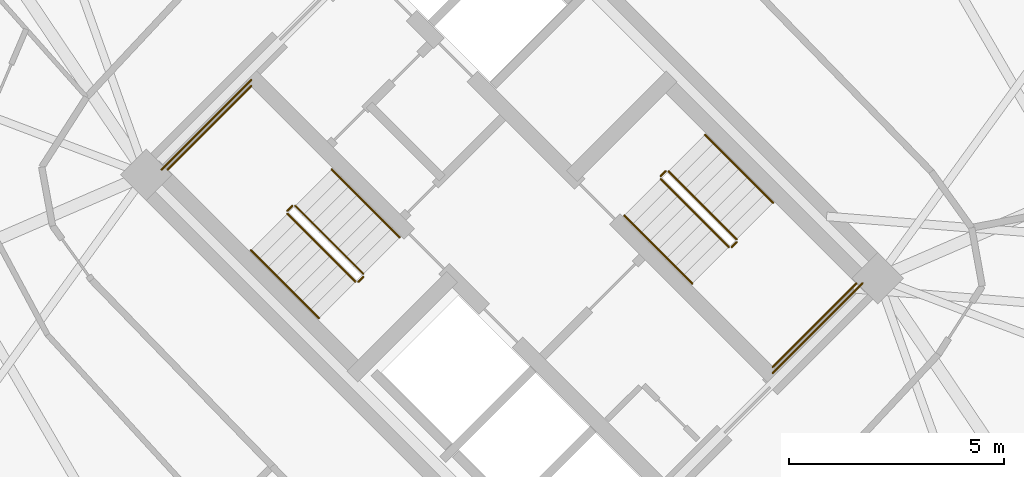
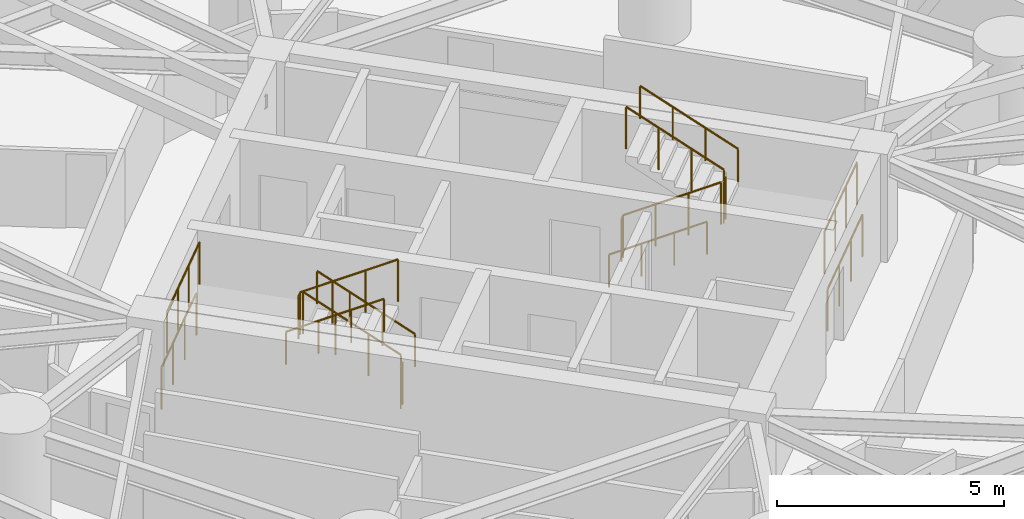
# One storey, part 17 of 18: 16 railings.
"""IFC4 building model written with IfcOpenShell, lengths in metres."""

from ifc_helpers import new_model, si_unit, direction, frame, origin, origin_2d, place, context, subcontext, project, spatial, circle, extrude, material, type_object, element, save


model = new_model("IFC4")

# Units and contexts
model_context = context("Model", 3, precision=1e-05, world=origin(), true_north=direction((0.0, 1.0)))
body_context = subcontext(model_context, "Body", "Model", "MODEL_VIEW")
ifc_project = project(units=[si_unit("LENGTHUNIT", "METRE"), si_unit("AREAUNIT", "SQUARE_METRE"), si_unit("VOLUMEUNIT", "CUBIC_METRE"), si_unit("PLANEANGLEUNIT", "RADIAN"), si_unit("MASSUNIT", "GRAM", prefix="KILO")], contexts=[model_context])

# Site, building, storey
site_placement = place(None, origin())
site = spatial("IfcSite", under=ifc_project, at=site_placement, CompositionType="ELEMENT")
building_placement = place(site_placement, origin())
building = spatial("IfcBuilding", under=site, at=building_placement, Name="Cununo Teusaquillo Station Towers", CompositionType="ELEMENT")
storey_placement = place(building_placement, frame((0.0, 0.0, 22.0)))
storey = spatial("IfcBuildingStorey", under=building, at=storey_placement, Name="L05", CompositionType="ELEMENT", Elevation=22.0)

# Railings
ifc_material_1 = material(Name="Steel EN 10025-2 S355J2", Category="steel")
railing_type_1 = type_object("IfcRailingType", Name="RL-INT-GUARD", PredefinedType="GUARDRAIL", material=ifc_material_1)
railing_1_placement = place(storey_placement, frame((54.03515625, 23.39697265625, 0.16162109375)))
element("IfcRailing", 1, at=railing_1_placement, inside=storey, type_object=railing_type_1, Name="L05 ST-T2-1 stair guard 1", PredefinedType="GUARDRAIL", context=body_context, shape_type="SweptSolid", body=[
    extrude(circle(Radius=0.02392578125, at=origin_2d()), frame((0.0, 0.0, 1.1259765625), z_axis=(-0.612332353853, 0.612332353853, 0.500098167213), x_axis=(-0.707106781187, -0.707106781187, 0.0)), (0.0, 0.0, 1.0), 2.58642578125),
    extrude(circle(Radius=0.02099609375, at=origin_2d()), origin(), (0.0, 0.0, 1.0), 1.101806640625),
    extrude(circle(Radius=0.02099609375, at=origin_2d()), frame((-0.52783203125, 0.52783203125, 0.43115234375)), (0.0, 0.0, 1.0), 1.101806640625),
    extrude(circle(Radius=0.02099609375, at=origin_2d()), frame((-1.055908203125, 1.055908203125, 0.8623046875)), (0.0, 0.0, 1.0), 1.101806640625),
    extrude(circle(Radius=0.02099609375, at=origin_2d()), frame((-1.583740234375, 1.583740234375, 1.29345703125)), (0.0, 0.0, 1.0), 1.101806640625),
])
railing_2_placement = place(storey_placement, frame((52.380615234375, 24.980712890625, 1.455078125)))
element("IfcRailing", 2, at=railing_2_placement, inside=storey, type_object=railing_type_1, Name="L05 ST-T2-1 stair guard 2", PredefinedType="GUARDRAIL", context=body_context, shape_type="SweptSolid", body=[
    extrude(circle(Radius=0.02392578125, at=origin_2d()), frame((0.0, 0.0, 1.1259765625), z_axis=(-0.7078691598, -0.706343579714, 0.0), x_axis=(0.706343579714, -0.7078691598, 0.0)), (0.0, 0.0, 1.0), 0.159912109375),
    extrude(circle(Radius=0.02099609375, at=origin_2d()), origin(), (0.0, 0.0, 1.0), 1.101806640625),
    extrude(circle(Radius=0.02099609375, at=origin_2d()), frame((-0.11328125, -0.113037109375, 0.0)), (0.0, 0.0, 1.0), 1.101806640625),
])
railing_3_placement = place(storey_placement, frame((51.426025390625, 27.77392578125, 1.455078125)))
element("IfcRailing", 3, at=railing_3_placement, inside=storey, type_object=railing_type_1, Name="L05 ST-T2-1 stair guard 3", PredefinedType="GUARDRAIL", context=body_context, shape_type="SweptSolid", body=[
    extrude(circle(Radius=0.02392578125, at=origin_2d()), frame((0.0, 0.0, 1.1259765625), z_axis=(-0.707106781187, -0.707106781187, 0.0), x_axis=(0.707106781187, -0.707106781187, 0.0)), (0.0, 0.0, 1.0), 2.760009765625),
    extrude(circle(Radius=0.02099609375, at=origin_2d()), origin(), (0.0, 0.0, 1.0), 1.101806640625),
    extrude(circle(Radius=0.02099609375, at=origin_2d()), frame((-0.650634765625, -0.650634765625, 0.0)), (0.0, 0.0, 1.0), 1.101806640625),
    extrude(circle(Radius=0.02099609375, at=origin_2d()), frame((-1.301025390625, -1.301025390625, 0.0)), (0.0, 0.0, 1.0), 1.101806640625),
    extrude(circle(Radius=0.02099609375, at=origin_2d()), frame((-1.95166015625, -1.95166015625, 0.0)), (0.0, 0.0, 1.0), 1.101806640625),
])
railing_4_placement = place(storey_placement, frame((52.267333984375, 24.796875, 1.61669921875)))
element("IfcRailing", 4, at=railing_4_placement, inside=storey, type_object=railing_type_1, Name="L05 ST-T2-1 stair guard 4", PredefinedType="GUARDRAIL", context=body_context, shape_type="SweptSolid", body=[
    extrude(circle(Radius=0.02392578125, at=origin_2d()), frame((0.0, 0.0, 1.1259765625), z_axis=(0.612420254088, -0.612325861324, 0.499998471934), x_axis=(0.707052281454, 0.707161276719, 0.0)), (0.0, 0.0, 1.0), 2.58642578125),
    extrude(circle(Radius=0.02099609375, at=origin_2d()), origin(), (0.0, 0.0, 1.0), 1.101806640625),
    extrude(circle(Radius=0.02099609375, at=origin_2d()), frame((0.528076171875, -0.52783203125, 0.43115234375)), (0.0, 0.0, 1.0), 1.101806640625),
    extrude(circle(Radius=0.02099609375, at=origin_2d()), frame((1.055908203125, -1.055908203125, 0.862060546875)), (0.0, 0.0, 1.0), 1.101806640625),
    extrude(circle(Radius=0.02099609375, at=origin_2d()), frame((1.583984375, -1.583740234375, 1.293212890625)), (0.0, 0.0, 1.0), 1.101806640625),
])
railing_5_placement = place(storey_placement, frame((54.03515625, 23.326171875, 0.0)))
element("IfcRailing", 5, at=railing_5_placement, inside=storey, type_object=railing_type_1, Name="L05 ST-T2-1 stair guard 5", PredefinedType="GUARDRAIL", context=body_context, shape_type="SweptSolid", body=[
    extrude(circle(Radius=0.02392578125, at=origin_2d()), frame((0.0, 0.0, 1.1259765625), z_axis=(-0.707106781187, -0.707106781187, 0.0), x_axis=(0.707106781187, -0.707106781187, 0.0)), (0.0, 0.0, 1.0), 0.159912109375),
    extrude(circle(Radius=0.02099609375, at=origin_2d()), origin(), (0.0, 0.0, 1.0), 1.101806640625),
    extrude(circle(Radius=0.02099609375, at=origin_2d()), frame((-0.113037109375, -0.113037109375, 0.0)), (0.0, 0.0, 1.0), 1.101806640625),
])
railing_6_placement = place(storey_placement, frame((51.426025390625, 27.915283203125, 0.0)))
element("IfcRailing", 6, at=railing_6_placement, inside=storey, type_object=railing_type_1, Name="L05 ST-T2-1 stair guard 6", PredefinedType="GUARDRAIL", context=body_context, shape_type="SweptSolid", body=[
    extrude(circle(Radius=0.02392578125, at=origin_2d()), frame((0.0, 0.0, 1.1259765625), z_axis=(-0.707106781187, -0.707106781187, 0.0), x_axis=(0.707106781187, -0.707106781187, 0.0)), (0.0, 0.0, 1.0), 2.9599609375),
    extrude(circle(Radius=0.02099609375, at=origin_2d()), origin(), (0.0, 0.0, 1.0), 1.101806640625),
    extrude(circle(Radius=0.02099609375, at=origin_2d()), frame((-0.69775390625, -0.69775390625, 0.0)), (0.0, 0.0, 1.0), 1.101806640625),
    extrude(circle(Radius=0.02099609375, at=origin_2d()), frame((-1.395263671875, -1.395263671875, 0.0)), (0.0, 0.0, 1.0), 1.101806640625),
    extrude(circle(Radius=0.02099609375, at=origin_2d()), frame((-2.093017578125, -2.093017578125, 0.0)), (0.0, 0.0, 1.0), 1.101806640625),
])
railing_7_placement = place(storey_placement, frame((60.96484375, 25.60302734375, 0.16162109375)))
element("IfcRailing", 7, at=railing_7_placement, inside=storey, type_object=railing_type_1, Name="L05 ST-T2-2 stair guard 1", PredefinedType="GUARDRAIL", context=body_context, shape_type="SweptSolid", body=[
    extrude(circle(Radius=0.02392578125, at=origin_2d()), frame((0.0, 0.0, 1.1259765625), z_axis=(0.612332353853, -0.612332353853, 0.500098167213), x_axis=(0.707106781187, 0.707106781187, 0.0)), (0.0, 0.0, 1.0), 2.58642578125),
    extrude(circle(Radius=0.02099609375, at=origin_2d()), origin(), (0.0, 0.0, 1.0), 1.101806640625),
    extrude(circle(Radius=0.02099609375, at=origin_2d()), frame((0.52783203125, -0.52783203125, 0.43115234375)), (0.0, 0.0, 1.0), 1.101806640625),
    extrude(circle(Radius=0.02099609375, at=origin_2d()), frame((1.055908203125, -1.055908203125, 0.8623046875)), (0.0, 0.0, 1.0), 1.101806640625),
    extrude(circle(Radius=0.02099609375, at=origin_2d()), frame((1.583740234375, -1.583740234375, 1.29345703125)), (0.0, 0.0, 1.0), 1.101806640625),
])
railing_8_placement = place(storey_placement, frame((62.619384765625, 24.019287109375, 1.455078125)))
element("IfcRailing", 8, at=railing_8_placement, inside=storey, type_object=railing_type_1, Name="L05 ST-T2-2 stair guard 2", PredefinedType="GUARDRAIL", context=body_context, shape_type="SweptSolid", body=[
    extrude(circle(Radius=0.02392578125, at=origin_2d()), frame((0.0, 0.0, 1.1259765625), z_axis=(0.7078691598, 0.706343579714, 0.0), x_axis=(-0.706343579714, 0.7078691598, 0.0)), (0.0, 0.0, 1.0), 0.159912109375),
    extrude(circle(Radius=0.02099609375, at=origin_2d()), origin(), (0.0, 0.0, 1.0), 1.101806640625),
    extrude(circle(Radius=0.02099609375, at=origin_2d()), frame((0.11328125, 0.113037109375, 0.0)), (0.0, 0.0, 1.0), 1.101806640625),
])
railing_9_placement = place(storey_placement, frame((63.573974609375, 21.22607421875, 1.455078125)))
element("IfcRailing", 9, at=railing_9_placement, inside=storey, type_object=railing_type_1, Name="L05 ST-T2-2 stair guard 3", PredefinedType="GUARDRAIL", context=body_context, shape_type="SweptSolid", body=[
    extrude(circle(Radius=0.02392578125, at=origin_2d()), frame((0.0, 0.0, 1.1259765625), z_axis=(0.707106781187, 0.707106781187, 0.0), x_axis=(-0.707106781187, 0.707106781187, 0.0)), (0.0, 0.0, 1.0), 2.760009765625),
    extrude(circle(Radius=0.02099609375, at=origin_2d()), origin(), (0.0, 0.0, 1.0), 1.101806640625),
    extrude(circle(Radius=0.02099609375, at=origin_2d()), frame((0.650634765625, 0.650634765625, 0.0)), (0.0, 0.0, 1.0), 1.101806640625),
    extrude(circle(Radius=0.02099609375, at=origin_2d()), frame((1.301025390625, 1.301025390625, 0.0)), (0.0, 0.0, 1.0), 1.101806640625),
    extrude(circle(Radius=0.02099609375, at=origin_2d()), frame((1.95166015625, 1.95166015625, 0.0)), (0.0, 0.0, 1.0), 1.101806640625),
])
railing_10_placement = place(storey_placement, frame((62.732666015625, 24.203125, 1.61669921875)))
element("IfcRailing", 10, at=railing_10_placement, inside=storey, type_object=railing_type_1, Name="L05 ST-T2-2 stair guard 4", PredefinedType="GUARDRAIL", context=body_context, shape_type="SweptSolid", body=[
    extrude(circle(Radius=0.02392578125, at=origin_2d()), frame((0.0, 0.0, 1.1259765625), z_axis=(-0.612420254088, 0.612325861324, 0.499998471934), x_axis=(-0.707052281454, -0.707161276719, 0.0)), (0.0, 0.0, 1.0), 2.58642578125),
    extrude(circle(Radius=0.02099609375, at=origin_2d()), origin(), (0.0, 0.0, 1.0), 1.101806640625),
    extrude(circle(Radius=0.02099609375, at=origin_2d()), frame((-0.528076171875, 0.52783203125, 0.43115234375)), (0.0, 0.0, 1.0), 1.101806640625),
    extrude(circle(Radius=0.02099609375, at=origin_2d()), frame((-1.055908203125, 1.055908203125, 0.862060546875)), (0.0, 0.0, 1.0), 1.101806640625),
    extrude(circle(Radius=0.02099609375, at=origin_2d()), frame((-1.583984375, 1.583740234375, 1.293212890625)), (0.0, 0.0, 1.0), 1.101806640625),
])
railing_11_placement = place(storey_placement, frame((60.96484375, 25.673828125, 0.0)))
element("IfcRailing", 11, at=railing_11_placement, inside=storey, type_object=railing_type_1, Name="L05 ST-T2-2 stair guard 5", PredefinedType="GUARDRAIL", context=body_context, shape_type="SweptSolid", body=[
    extrude(circle(Radius=0.02392578125, at=origin_2d()), frame((0.0, 0.0, 1.1259765625), z_axis=(0.707106781187, 0.707106781187, 0.0), x_axis=(-0.707106781187, 0.707106781187, 0.0)), (0.0, 0.0, 1.0), 0.159912109375),
    extrude(circle(Radius=0.02099609375, at=origin_2d()), origin(), (0.0, 0.0, 1.0), 1.101806640625),
    extrude(circle(Radius=0.02099609375, at=origin_2d()), frame((0.113037109375, 0.113037109375, 0.0)), (0.0, 0.0, 1.0), 1.101806640625),
])
railing_12_placement = place(storey_placement, frame((63.573974609375, 21.084716796875, 0.0)))
element("IfcRailing", 12, at=railing_12_placement, inside=storey, type_object=railing_type_1, Name="L05 ST-T2-2 stair guard 6", PredefinedType="GUARDRAIL", context=body_context, shape_type="SweptSolid", body=[
    extrude(circle(Radius=0.02392578125, at=origin_2d()), frame((0.0, 0.0, 1.1259765625), z_axis=(0.707106781187, 0.707106781187, 0.0), x_axis=(-0.707106781187, 0.707106781187, 0.0)), (0.0, 0.0, 1.0), 2.9599609375),
    extrude(circle(Radius=0.02099609375, at=origin_2d()), origin(), (0.0, 0.0, 1.0), 1.101806640625),
    extrude(circle(Radius=0.02099609375, at=origin_2d()), frame((0.69775390625, 0.69775390625, 0.0)), (0.0, 0.0, 1.0), 1.101806640625),
    extrude(circle(Radius=0.02099609375, at=origin_2d()), frame((1.395263671875, 1.395263671875, 0.0)), (0.0, 0.0, 1.0), 1.101806640625),
    extrude(circle(Radius=0.02099609375, at=origin_2d()), frame((2.093017578125, 2.093017578125, 0.0)), (0.0, 0.0, 1.0), 1.101806640625),
])
ifc_material_2 = material(Name="Steel EN 10025-2 S355J2", Category="steel")
railing_type_2 = type_object("IfcRailingType", Name="RL-INT-HRAIL", PredefinedType="HANDRAIL", material=ifc_material_2)
railing_13_placement = place(storey_placement, frame((54.8837890625, 24.245361328125, 0.16162109375)))
element("IfcRailing", 13, at=railing_13_placement, inside=storey, type_object=railing_type_2, Name="L05 ST-T2-1 stair handrail 1", PredefinedType="HANDRAIL", context=body_context, shape_type="SweptSolid", body=[
    extrude(circle(Radius=0.02392578125, at=origin_2d()), frame((0.0, 0.0, 0.8759765625), z_axis=(-0.612355957468, 0.612355957468, 0.500040361077), x_axis=(-0.707106781187, -0.707106781187, 0.0)), (0.0, 0.0, 1.0), 2.586669921875),
    extrude(circle(Radius=0.02099609375, at=origin_2d()), origin(), (0.0, 0.0, 1.0), 0.851806640625),
    extrude(circle(Radius=0.02099609375, at=origin_2d()), frame((-0.528076171875, 0.528076171875, 0.43115234375)), (0.0, 0.0, 1.0), 0.851806640625),
    extrude(circle(Radius=0.02099609375, at=origin_2d()), frame((-1.055908203125, 1.055908203125, 0.8623046875)), (0.0, 0.0, 1.0), 0.851806640625),
    extrude(circle(Radius=0.02099609375, at=origin_2d()), frame((-1.583984375, 1.583984375, 1.29345703125)), (0.0, 0.0, 1.0), 0.851806640625),
])
railing_14_placement = place(storey_placement, frame((51.4189453125, 23.948486328125, 1.61669921875)))
element("IfcRailing", 14, at=railing_14_placement, inside=storey, type_object=railing_type_2, Name="L05 ST-T2-1 stair handrail 2", PredefinedType="HANDRAIL", context=body_context, shape_type="SweptSolid", body=[
    extrude(circle(Radius=0.02392578125, at=origin_2d()), frame((0.0, 0.0, 0.8759765625), z_axis=(0.612384857071, -0.612384857071, 0.499969572735), x_axis=(0.707106781187, 0.707106781187, 0.0)), (0.0, 0.0, 1.0), 2.586669921875),
    extrude(circle(Radius=0.02099609375, at=origin_2d()), origin(), (0.0, 0.0, 1.0), 0.851806640625),
    extrude(circle(Radius=0.02099609375, at=origin_2d()), frame((0.528076171875, -0.528076171875, 0.43115234375)), (0.0, 0.0, 1.0), 0.851806640625),
    extrude(circle(Radius=0.02099609375, at=origin_2d()), frame((1.055908203125, -1.055908203125, 0.862060546875)), (0.0, 0.0, 1.0), 0.851806640625),
    extrude(circle(Radius=0.02099609375, at=origin_2d()), frame((1.583984375, -1.583984375, 1.293212890625)), (0.0, 0.0, 1.0), 0.851806640625),
])
railing_15_placement = place(storey_placement, frame((60.1162109375, 24.754638671875, 0.16162109375)))
element("IfcRailing", 15, at=railing_15_placement, inside=storey, type_object=railing_type_2, Name="L05 ST-T2-2 stair handrail 1", PredefinedType="HANDRAIL", context=body_context, shape_type="SweptSolid", body=[
    extrude(circle(Radius=0.02392578125, at=origin_2d()), frame((0.0, 0.0, 0.8759765625), z_axis=(0.612355957468, -0.612355957468, 0.500040361077), x_axis=(0.707106781187, 0.707106781187, 0.0)), (0.0, 0.0, 1.0), 2.586669921875),
    extrude(circle(Radius=0.02099609375, at=origin_2d()), origin(), (0.0, 0.0, 1.0), 0.851806640625),
    extrude(circle(Radius=0.02099609375, at=origin_2d()), frame((0.528076171875, -0.528076171875, 0.43115234375)), (0.0, 0.0, 1.0), 0.851806640625),
    extrude(circle(Radius=0.02099609375, at=origin_2d()), frame((1.055908203125, -1.055908203125, 0.8623046875)), (0.0, 0.0, 1.0), 0.851806640625),
    extrude(circle(Radius=0.02099609375, at=origin_2d()), frame((1.583984375, -1.583984375, 1.29345703125)), (0.0, 0.0, 1.0), 0.851806640625),
])
railing_16_placement = place(storey_placement, frame((63.5810546875, 25.051513671875, 1.61669921875)))
element("IfcRailing", 16, at=railing_16_placement, inside=storey, type_object=railing_type_2, Name="L05 ST-T2-2 stair handrail 2", PredefinedType="HANDRAIL", context=body_context, shape_type="SweptSolid", body=[
    extrude(circle(Radius=0.02392578125, at=origin_2d()), frame((0.0, 0.0, 0.8759765625), z_axis=(-0.612384857071, 0.612384857071, 0.499969572735), x_axis=(-0.707106781187, -0.707106781187, 0.0)), (0.0, 0.0, 1.0), 2.586669921875),
    extrude(circle(Radius=0.02099609375, at=origin_2d()), origin(), (0.0, 0.0, 1.0), 0.851806640625),
    extrude(circle(Radius=0.02099609375, at=origin_2d()), frame((-0.528076171875, 0.528076171875, 0.43115234375)), (0.0, 0.0, 1.0), 0.851806640625),
    extrude(circle(Radius=0.02099609375, at=origin_2d()), frame((-1.055908203125, 1.055908203125, 0.862060546875)), (0.0, 0.0, 1.0), 0.851806640625),
    extrude(circle(Radius=0.02099609375, at=origin_2d()), frame((-1.583984375, 1.583984375, 1.293212890625)), (0.0, 0.0, 1.0), 0.851806640625),
])

save(model, "model.ifc")
